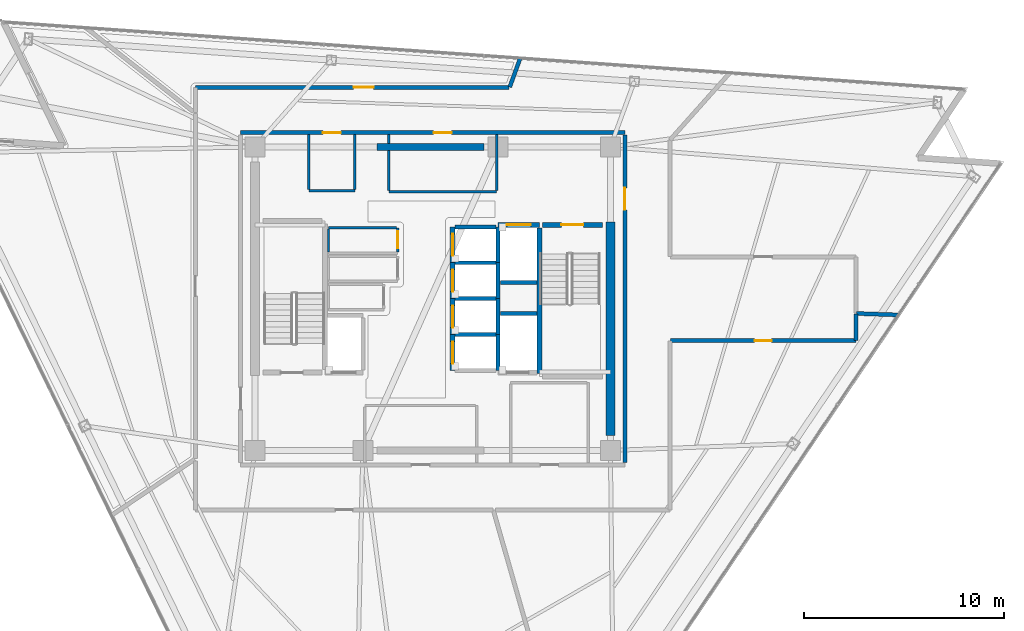
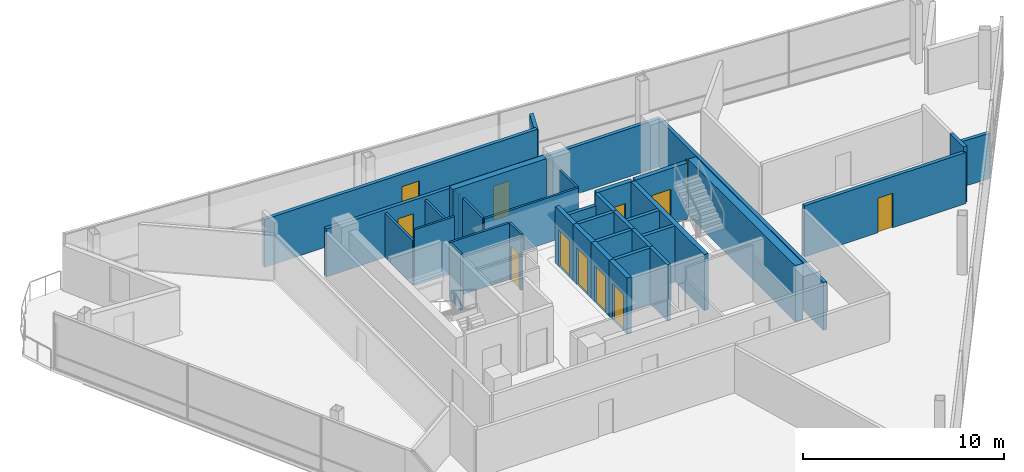
# One storey, part 10 of 14: 36 walls, 12 doors, 12 openings.
"""IFC4 building model written with IfcOpenShell, lengths in metres."""

import ifcopenshell
import ifcopenshell.guid

model = None  # the IFC model being written
_history = None  # IfcOwnerHistory: only IFC2X3 demands one
_inside = {}  # id of a spatial element -> (the spatial element, [elements in it])
_under = {}  # id of a project, library or spatial element -> (it, [spatial elements below it])
_declared = {}  # id of a project -> (the project, [libraries it declares])
_typed = {}  # id of a type object -> (the type object, [elements of that type])
_made_of = {}  # id of a material, layer set ... -> (it, [elements and type objects made of it])


def new_model(schema):
    """Start an empty IFC model of exactly this schema.

    Asked for "IFC4X3", IfcOpenShell would pick the latest addendum, in which some entities
    have other attributes; the version numbers below select the first issue.
    IFC2X3 requires an IfcOwnerHistory on every rooted entity: one is made here for all.
    """
    global model, _history
    if schema == "IFC4X3":
        model = ifcopenshell.file(schema_version=(4, 3, 0, 0))
    else:
        model = ifcopenshell.file(schema=schema)
    _inside.clear()
    _under.clear()
    _declared.clear()
    _typed.clear()
    _made_of.clear()
    _history = None
    if model.schema == "IFC2X3":
        org = make("IfcOrganization", Name="unknown")
        user = make(
            "IfcPersonAndOrganization",
            ThePerson=make("IfcPerson", FamilyName="unknown"),
            TheOrganization=org,
        )
        app = make(
            "IfcApplication",
            ApplicationDeveloper=org,
            Version="unknown",
            ApplicationFullName="unknown",
            ApplicationIdentifier="unknown",
        )
        _history = make(
            "IfcOwnerHistory",
            OwningUser=user,
            OwningApplication=app,
            ChangeAction="ADDED",
            CreationDate=0,
        )
    return model


def make(cls, **values):
    """One entity of the class cls with the attributes given. An attribute that is None is left unset."""
    return model.create_entity(
        cls, **{name: value for name, value in values.items() if value is not None}
    )


def rooted(cls, **values):
    """An entity with a GlobalId (a new one), such as an element, a storey or a relation."""
    return make(cls, GlobalId=ifcopenshell.guid.new(), OwnerHistory=_history, **values)


def si_unit(unit_type, name, prefix=None):
    """IfcSIUnit, for example si_unit("LENGTHUNIT", "METRE", prefix="MILLI")."""
    return make("IfcSIUnit", UnitType=unit_type, Prefix=prefix, Name=name)


def assignment(units):
    """IfcUnitAssignment: the units of a project."""
    return None if units is None else make("IfcUnitAssignment", Units=units)


def point(xyz):
    """IfcCartesianPoint."""
    return None if xyz is None else make("IfcCartesianPoint", Coordinates=xyz)


def direction(xyz):
    """IfcDirection."""
    return None if xyz is None else make("IfcDirection", DirectionRatios=xyz)


def frame(location, z_axis=None, x_axis=None):
    """IfcAxis2Placement3D, a coordinate frame: its origin and axes. An axis left out is left unset."""
    return make(
        "IfcAxis2Placement3D",
        Location=point(location),
        Axis=direction(z_axis),
        RefDirection=direction(x_axis),
    )


def frame_2d(location, x_axis=None):
    """IfcAxis2Placement2D, a coordinate frame in the plane: its origin and x axis."""
    return make(
        "IfcAxis2Placement2D", Location=point(location), RefDirection=direction(x_axis)
    )


def origin():
    """The frame at (0, 0, 0) with its axes left unset."""
    return frame((0.0, 0.0, 0.0))


def place(relative_to, where):
    """IfcLocalPlacement: puts the frame where relative to a parent placement (None: the world)."""
    return make(
        "IfcLocalPlacement", PlacementRelTo=relative_to, RelativePlacement=where
    )


def context(
    kind, dimensions, precision=None, world=None, true_north=None, identifier=None
):
    """IfcGeometricRepresentationContext, for example the 3D "Model" context."""
    return make(
        "IfcGeometricRepresentationContext",
        ContextIdentifier=identifier,
        ContextType=kind,
        CoordinateSpaceDimension=dimensions,
        Precision=precision,
        WorldCoordinateSystem=world,
        TrueNorth=true_north,
    )


def subcontext(parent, identifier, kind, view, scale=None):
    """IfcGeometricRepresentationSubContext, for example "Body" below "Model"."""
    return make(
        "IfcGeometricRepresentationSubContext",
        ContextIdentifier=identifier,
        ContextType=kind,
        ParentContext=parent,
        TargetScale=scale,
        TargetView=view,
    )


def project(units=None, contexts=None):
    """IfcProject with its units and contexts."""
    return rooted(
        "IfcProject",
        Name="project",
        RepresentationContexts=contexts,
        UnitsInContext=assignment(units),
    )


def spatial(cls, under=None, at=None, **own):
    """A site, building, storey or space (cls), placed at a placement, below another one or the project."""
    s = rooted(cls, ObjectPlacement=at, **own)
    if under is not None:
        _under.setdefault(under.id(), (under, []))[1].append(s)
    return s


def profile(cls, at=None, kind="AREA", **sizes):
    """A parametric profile (cls). Its sizes go by their IFC names, for example OverallWidth=200.0."""
    return make(cls, ProfileType=kind, Position=at, **sizes)


def rectangle(**sizes):
    """IfcRectangleProfileDef."""
    return profile("IfcRectangleProfileDef", **sizes)


def extrude(swept, where, along, depth):
    """IfcExtrudedAreaSolid: the profile swept, set in the frame where, extruded along a direction by depth."""
    return make(
        "IfcExtrudedAreaSolid",
        SweptArea=swept,
        Position=where,
        ExtrudedDirection=direction(along),
        Depth=depth,
    )


def shape(context_of_items, identifier, shape_type, items):
    """IfcShapeRepresentation: the items that make up one representation, for example the "Body"."""
    return make(
        "IfcShapeRepresentation",
        ContextOfItems=context_of_items,
        RepresentationIdentifier=identifier,
        RepresentationType=shape_type,
        Items=items,
    )


def material(Name=None, Category=None):
    """IfcMaterial."""
    return make("IfcMaterial", Name=Name, Category=Category)


def layer(
    of_material, thickness, ventilated=None, Name=None, Category=None, Priority=None
):
    """IfcMaterialLayer: one layer of a wall or slab, of a material (None: an air gap)."""
    return make(
        "IfcMaterialLayer",
        Material=of_material,
        LayerThickness=thickness,
        IsVentilated=ventilated,
        Name=Name,
        Category=Category,
        Priority=Priority,
    )


def layer_set(layers, Name=None):
    """IfcMaterialLayerSet."""
    return make("IfcMaterialLayerSet", MaterialLayers=layers, LayerSetName=Name)


def made_of(thing, what):
    """Note that an element or type object is made of a material, layer set ...; save() writes the relation."""
    if what is not None:
        _made_of.setdefault(what.id(), (what, []))[1].append(thing)
    return thing


def type_object(cls, material=None, **own):
    """A type object (cls), such as IfcWallType, which elements share."""
    return made_of(rooted(cls, **own), material)


def element(
    cls,
    number,
    at=None,
    inside=None,
    cuts=None,
    type_object=None,
    material=None,
    context=None,
    identifier="Body",
    shape_type=None,
    held_by="IfcProductDefinitionShape",
    body=None,
    shapes=None,
    **own,
):
    """One element of the class cls, such as IfcWall. Its Tag is "e" and its number.

    at: its placement. inside: the storey or other place that contains it. cuts: it is an
    opening in that element (IfcRelVoidsElement). A single representation is given by context,
    identifier, shape_type and body (its items); several are given by shapes. held_by: the class
    of the entity that holds the representations. save() writes the other relations.
    """
    e = rooted(cls, Tag="e%d" % number, ObjectPlacement=at, **own)
    if body is not None:
        shapes = [shape(context, identifier, shape_type, body)]
    if shapes is not None:
        e.Representation = make(held_by, Representations=shapes)
    if inside is not None:
        _inside.setdefault(inside.id(), (inside, []))[1].append(e)
    if cuts is not None:
        rooted(
            "IfcRelVoidsElement", RelatingBuildingElement=cuts, RelatedOpeningElement=e
        )
    if type_object is not None:
        _typed.setdefault(type_object.id(), (type_object, []))[1].append(e)
    return made_of(e, material)


def fill(opening, filler):
    """IfcRelFillsElement: the door or window that sits in an opening."""
    return rooted(
        "IfcRelFillsElement",
        RelatingOpeningElement=opening,
        RelatedBuildingElement=filler,
    )


def aggregate(whole, parts):
    """IfcRelAggregates: a whole, such as a stair, and the parts it consists of."""
    return rooted("IfcRelAggregates", RelatingObject=whole, RelatedObjects=parts)


def save(model, path):
    """Write the relations noted so far, then the file.

    IfcRelAggregates (storeys below a building ...), IfcRelContainedInSpatialStructure (elements
    in a storey), IfcRelDefinesByType, IfcRelAssociatesMaterial and IfcRelDeclares: one each for
    every whole, place, type object, material and project.
    """
    for whole, parts in _under.values():
        aggregate(whole, parts)
    for where, things in _inside.values():
        rooted(
            "IfcRelContainedInSpatialStructure",
            RelatedElements=things,
            RelatingStructure=where,
        )
    for kind, things in _typed.values():
        rooted("IfcRelDefinesByType", RelatedObjects=things, RelatingType=kind)
    for what, things in _made_of.values():
        rooted("IfcRelAssociatesMaterial", RelatedObjects=things, RelatingMaterial=what)
    for by, libraries in _declared.values():
        rooted("IfcRelDeclares", RelatingContext=by, RelatedDefinitions=libraries)
    model.write(path)


model = new_model("IFC4")

# Units and contexts
model_context = context("Model", 3, precision=1e-05, world=origin(), true_north=direction((0.0, 1.0)))
body_context = subcontext(model_context, "Body", "Model", "MODEL_VIEW")
ifc_project = project(units=[si_unit("LENGTHUNIT", "METRE"), si_unit("AREAUNIT", "SQUARE_METRE"), si_unit("VOLUMEUNIT", "CUBIC_METRE"), si_unit("PLANEANGLEUNIT", "RADIAN"), si_unit("MASSUNIT", "GRAM", prefix="KILO")], contexts=[model_context])

# Site, building, storey
site_placement = place(None, origin())
site = spatial("IfcSite", under=ifc_project, at=site_placement, CompositionType="ELEMENT")
building_placement = place(site_placement, origin())
building = spatial("IfcBuilding", under=site, at=building_placement, Name="Tharavind Bronze Gate", CompositionType="ELEMENT")
storey_placement = place(building_placement, frame((0.0, 0.0, 230.64990234375)))
storey = spatial("IfcBuildingStorey", under=building, at=storey_placement, Name="L59", CompositionType="ELEMENT", Elevation=230.64990234375)

# Wall, openings, doors
ifc_material_1 = material(Name="Aerated Concrete Block", Category="concrete")
ifc_layer_1 = layer(ifc_material_1, 0.199951171875)
ifc_layer_set_1 = layer_set([ifc_layer_1], Name="Aerated Concrete Block")
wall_type_1 = type_object("IfcWallType", Name="FIRE RATED PARTITION 200", PredefinedType="PARTITIONING", material=ifc_layer_set_1)
wall_1_placement = place(storey_placement, frame((9.6201171875, 8.320068359375, 0.0), z_axis=(0.0, 0.0, 1.0), x_axis=(-1.0, 0.0, 0.0)))
wall_1 = element("IfcWall", 1, at=wall_1_placement, inside=storey, type_object=wall_type_1, Name="L59 north core corridor wall", PredefinedType="PARTITIONING", context=body_context, shape_type="SweptSolid", body=[
    extrude(rectangle(XDim=19.240234375, YDim=0.199951171875, at=frame_2d((9.6201171875, 0.0))), origin(), (0.0, 0.0, 1.0), 2.9150390625),
])
opening_1_placement = place(wall_1_placement, frame((8.669921875, 0.0, 0.0)))
opening_1 = element("IfcOpeningElement", 2, at=opening_1_placement, cuts=wall_1, Name="Opening ID07", PredefinedType="OPENING", context=body_context, shape_type="SweptSolid", body=[
    extrude(rectangle(XDim=0.89990234375, YDim=2.10009765625, at=frame_2d((0.449951171875, 1.050048828125))), frame((0.0, 0.11009765625, 0.0), z_axis=(0.0, -1.0, 0.0), x_axis=(1.0, 0.0, 0.0)), (0.0, 0.0, 1.0), 0.219951171875),
])
opening_2_placement = place(wall_1_placement, frame((14.219970703125, 0.0, 0.0)))
opening_2 = element("IfcOpeningElement", 3, at=opening_2_placement, cuts=wall_1, Name="Opening ID07", PredefinedType="OPENING", context=body_context, shape_type="SweptSolid", body=[
    extrude(rectangle(XDim=0.89990234375, YDim=2.10009765625, at=frame_2d((0.449951171875, 1.050048828125))), frame((0.0, 0.11009765625, 0.0), z_axis=(0.0, -1.0, 0.0), x_axis=(1.0, 0.0, 0.0)), (0.0, 0.0, 1.0), 0.219951171875),
])
ifc_material_2 = material(Name="Galvanised Fire Steel", Category="steel")
door_type_1 = type_object("IfcDoorType", Name="PLANT AND RISER FIRE DOOR 900X2100", OperationType="SINGLE_SWING_LEFT", PredefinedType="DOOR", material=ifc_material_2)
door_1_placement = place(opening_1_placement, origin())
door_1 = element("IfcDoor", 4, at=door_1_placement, inside=storey, type_object=door_type_1, Name="L59 Core Avionics Room fire door", OperationType="SINGLE_SWING_LEFT", OverallHeight=2.10009765625, OverallWidth=0.89990234375, PredefinedType="DOOR", context=body_context, shape_type="SweptSolid", body=[
    extrude(rectangle(XDim=0.89990234375, YDim=2.10009765625, at=frame_2d((0.449951171875, 1.050048828125))), frame((0.0, 0.02490234375, 0.0), z_axis=(0.0, -1.0, 0.0), x_axis=(1.0, 0.0, 0.0)), (0.0, 0.0, 1.0), 0.050048828125),
])
fill(opening_1, door_1)
door_2_placement = place(opening_2_placement, origin())
door_2 = element("IfcDoor", 5, at=door_2_placement, inside=storey, type_object=door_type_1, Name="L59 Electrical Switch Cupboard fire door", OperationType="SINGLE_SWING_LEFT", OverallHeight=2.10009765625, OverallWidth=0.89990234375, PredefinedType="DOOR", context=body_context, shape_type="SweptSolid", body=[
    extrude(rectangle(XDim=0.89990234375, YDim=2.10009765625, at=frame_2d((0.449951171875, 1.050048828125))), frame((0.0, 0.02490234375, 0.0), z_axis=(0.0, -1.0, 0.0), x_axis=(1.0, 0.0, 0.0)), (0.0, 0.0, 1.0), 0.050048828125),
])
fill(opening_2, door_2)

# Wall, opening, door
wall_2_placement = place(storey_placement, frame((9.6201171875, -8.199951171875, 0.0), z_axis=(0.0, 0.0, 1.0), x_axis=(0.0, 1.0, 0.0)))
wall_2 = element("IfcWall", 6, at=wall_2_placement, inside=storey, type_object=wall_type_1, Name="L59 east core corridor wall", PredefinedType="PARTITIONING", context=body_context, shape_type="SweptSolid", body=[
    extrude(rectangle(XDim=16.39990234375, YDim=0.199951171875, at=frame_2d((8.199951171875, 0.0))), origin(), (0.0, 0.0, 1.0), 2.9150390625),
])
opening_3_placement = place(wall_2_placement, frame((12.64990234375, 0.0, 0.0)))
opening_3 = element("IfcOpeningElement", 7, at=opening_3_placement, cuts=wall_2, Name="Opening ID01", PredefinedType="OPENING", context=body_context, shape_type="SweptSolid", body=[
    extrude(rectangle(XDim=1.10009765625, YDim=2.14990234375, at=frame_2d((0.550048828125, 1.074951171875))), frame((0.0, 0.11009765625, 0.0), z_axis=(0.0, -1.0, 0.0), x_axis=(1.0, 0.0, 0.0)), (0.0, 0.0, 1.0), 0.219951171875),
])
ifc_material_3 = material(Name="Fire-Rated Steel", Category="steel")
door_type_2 = type_object("IfcDoorType", Name="STAIR CORE FIRE DOOR 1100X2150", OperationType="SINGLE_SWING_LEFT", PredefinedType="DOOR", material=ifc_material_3)
door_3_placement = place(opening_3_placement, frame((1.10009765625, 0.0, 0.0), z_axis=(0.0, 0.0, 1.0), x_axis=(-1.0, 0.0, 0.0)))
door_3 = element("IfcDoor", 8, at=door_3_placement, inside=storey, type_object=door_type_2, Name="L59 north east stair lobby fire door", OperationType="SINGLE_SWING_LEFT", OverallHeight=2.14990234375, OverallWidth=1.10009765625, PredefinedType="DOOR", context=body_context, shape_type="SweptSolid", body=[
    extrude(rectangle(XDim=1.10009765625, YDim=2.14990234375, at=frame_2d((0.550048828125, 1.074951171875))), frame((0.0, 0.02490234375, 0.0), z_axis=(0.0, -1.0, 0.0), x_axis=(1.0, 0.0, 0.0)), (0.0, 0.0, 1.0), 0.050048828125),
])
fill(opening_3, door_3)

wall_3_placement = place(storey_placement, frame((11.905029296875, -2.10009765625, 0.0), z_axis=(0.0, 0.0, 1.0), x_axis=(1.0, 0.0, 0.0)))
wall_3 = element("IfcWall", 9, at=wall_3_placement, inside=storey, type_object=wall_type_1, Name="L59 Public Restrooms Block partition", PredefinedType="PARTITIONING", context=body_context, shape_type="SweptSolid", body=[
    extrude(rectangle(XDim=9.29443359375, YDim=0.199951171875, at=frame_2d((4.647216796875, 0.0))), origin(), (0.0, 0.0, 1.0), 3.114990234375),
])
opening_4_placement = place(wall_3_placement, frame((4.221923828125, 0.0, 0.0)))
opening_4 = element("IfcOpeningElement", 10, at=opening_4_placement, cuts=wall_3, Name="Opening ID06", PredefinedType="OPENING", context=body_context, shape_type="SweptSolid", body=[
    extrude(rectangle(XDim=0.85009765625, YDim=2.10009765625, at=frame_2d((0.425048828125, 1.050048828125))), frame((0.0, 0.11009765625, 0.0), z_axis=(0.0, -1.0, 0.0), x_axis=(1.0, 0.0, 0.0)), (0.0, 0.0, 1.0), 0.219951171875),
])
ifc_material_4 = material(Name="Moisture-Resistant Timber", Category="wood")
door_type_3 = type_object("IfcDoorType", Name="BATHROOM PRIVACY DOOR 850X2100", OperationType="SINGLE_SWING_RIGHT", PredefinedType="DOOR", material=ifc_material_4)
door_4_placement = place(opening_4_placement, origin())
door_4 = element("IfcDoor", 11, at=door_4_placement, inside=storey, type_object=door_type_3, Name="L59 Public Restrooms Block door", OperationType="SINGLE_SWING_RIGHT", OverallHeight=2.10009765625, OverallWidth=0.85009765625, PredefinedType="DOOR", context=body_context, shape_type="SweptSolid", body=[
    extrude(rectangle(XDim=0.85009765625, YDim=2.10009765625, at=frame_2d((0.425048828125, 1.050048828125))), frame((0.0, 0.02490234375, 0.0), z_axis=(0.0, -1.0, 0.0), x_axis=(1.0, 0.0, 0.0)), (0.0, 0.0, 1.0), 0.050048828125),
])
fill(opening_4, door_4)

# Walls
wall_4_placement = place(storey_placement, frame((21.199951171875, -2.099365234375, 0.0), z_axis=(0.0, 0.0, 1.0), x_axis=(0.0, 1.0, 0.0)))
element("IfcWall", 12, at=wall_4_placement, inside=storey, type_object=wall_type_1, Name="L59 Public Restrooms Block partition", PredefinedType="PARTITIONING", context=body_context, shape_type="SweptSolid", body=[
    extrude(rectangle(XDim=1.333251953125, YDim=0.199951171875, at=frame_2d((0.66650390625, 0.0))), origin(), (0.0, 0.0, 1.0), 3.420166015625),
])
wall_5_placement = place(storey_placement, frame((21.225830078125, -0.7412109375, 0.0), z_axis=(0.0, 0.0, 1.0), x_axis=(0.999389938991, -0.034924917223, 0.0)))
element("IfcWall", 13, at=wall_5_placement, inside=storey, type_object=wall_type_1, Name="L59 Public Restrooms Block partition", PredefinedType="PARTITIONING", context=body_context, shape_type="SweptSolid", body=[
    extrude(rectangle(XDim=2.090087890625, YDim=0.199951171875, at=frame_2d((1.044921875, 0.0))), origin(), (0.0, 0.0, 1.0), 2.76513671875),
])
wall_6_placement = place(storey_placement, frame((4.380615234375, 12.035400390625, 0.0), z_axis=(0.0, 0.0, 1.0), x_axis=(-0.342127052105, -0.939653702285, 0.0)))
element("IfcWall", 14, at=wall_6_placement, inside=storey, type_object=wall_type_1, Name="L59 Aerospace Design Open Office partition", PredefinedType="PARTITIONING", context=body_context, shape_type="SweptSolid", body=[
    extrude(rectangle(XDim=1.531494140625, YDim=0.199951171875, at=frame_2d((0.765625, 0.0))), origin(), (0.0, 0.0, 1.0), 2.76513671875),
])

# Wall, opening, door
wall_7_placement = place(storey_placement, frame((3.833251953125, 10.580078125, 0.0), z_axis=(0.0, 0.0, 1.0), x_axis=(-1.0, 0.0, 0.0)))
wall_7 = element("IfcWall", 15, at=wall_7_placement, inside=storey, type_object=wall_type_1, Name="L59 Aerospace Design Open Office partition", PredefinedType="PARTITIONING", context=body_context, shape_type="SweptSolid", body=[
    extrude(rectangle(XDim=15.712646484375, YDim=0.199951171875, at=frame_2d((7.8564453125, 0.0))), origin(), (0.0, 0.0, 1.0), 2.9150390625),
])
opening_5_placement = place(wall_7_placement, frame((6.7958984375, 0.0, 0.0)))
opening_5 = element("IfcOpeningElement", 16, at=opening_5_placement, cuts=wall_7, Name="Opening ID04", PredefinedType="OPENING", context=body_context, shape_type="SweptSolid", body=[
    extrude(rectangle(XDim=1.0, YDim=2.14990234375, at=frame_2d((0.5, 1.074951171875))), frame((0.0, 0.11009765625, 0.0), z_axis=(0.0, -1.0, 0.0), x_axis=(1.0, 0.0, 0.0)), (0.0, 0.0, 1.0), 0.219951171875),
])
ifc_material_5 = material(Name="Bronze Framed Acoustic Timber", Category="wood")
door_type_4 = type_object("IfcDoorType", Name="OFFICE TENANCY DOOR 1000X2150", OperationType="SINGLE_SWING_RIGHT", PredefinedType="DOOR", material=ifc_material_5)
door_5_placement = place(opening_5_placement, origin())
door_5 = element("IfcDoor", 17, at=door_5_placement, inside=storey, type_object=door_type_4, Name="L59 Aerospace Design Open Office door", OperationType="SINGLE_SWING_RIGHT", OverallHeight=2.14990234375, OverallWidth=1.0, PredefinedType="DOOR", context=body_context, shape_type="SweptSolid", body=[
    extrude(rectangle(XDim=1.0, YDim=2.14990234375, at=frame_2d((0.5, 1.074951171875))), frame((0.0, 0.02490234375, 0.0), z_axis=(0.0, -1.0, 0.0), x_axis=(1.0, 0.0, 0.0)), (0.0, 0.0, 1.0), 0.050048828125),
])
fill(opening_5, door_5)

ifc_material_6 = material(Name="Metal Stud Gypsum Partition", Category="gypsum")
ifc_layer_2 = layer(ifc_material_6, 0.1201171875)
ifc_layer_set_2 = layer_set([ifc_layer_2], Name="Metal Stud Gypsum Partition")
wall_type_2 = type_object("IfcWallType", Name="INTERIOR PARTITION WALL 120", PredefinedType="PARTITIONING", material=ifc_layer_set_2)
wall_8_placement = place(storey_placement, frame((-1.75, 2.344970703125, 0.0), z_axis=(0.0, 0.0, 1.0), x_axis=(0.0, 1.0, 0.0)))
wall_8 = element("IfcWall", 18, at=wall_8_placement, inside=storey, type_object=wall_type_2, Name="L59 Housekeeping Linen Store partition 2", PredefinedType="PARTITIONING", context=body_context, shape_type="SweptSolid", body=[
    extrude(rectangle(XDim=1.205078125, YDim=0.1201171875, at=frame_2d((0.6025390625, 0.0))), origin(), (0.0, 0.0, 1.0), 3.420166015625),
])
opening_6_placement = place(wall_8_placement, frame((0.177001953125, 0.0, 0.0)))
opening_6 = element("IfcOpeningElement", 19, at=opening_6_placement, cuts=wall_8, Name="Opening ID06", PredefinedType="OPENING", context=body_context, shape_type="SweptSolid", body=[
    extrude(rectangle(XDim=0.85009765625, YDim=2.10009765625, at=frame_2d((0.425048828125, 1.050048828125))), frame((0.0, 0.07005859375, 0.0), z_axis=(0.0, -1.0, 0.0), x_axis=(1.0, 0.0, 0.0)), (0.0, 0.0, 1.0), 0.1401171875),
])
door_6_placement = place(opening_6_placement, frame((0.85009765625, 0.0, 0.0), z_axis=(0.0, 0.0, 1.0), x_axis=(-1.0, 0.0, 0.0)))
door_6 = element("IfcDoor", 20, at=door_6_placement, inside=storey, type_object=door_type_3, Name="L59 Housekeeping Linen Store door", OperationType="SINGLE_SWING_RIGHT", OverallHeight=2.10009765625, OverallWidth=0.85009765625, PredefinedType="DOOR", context=body_context, shape_type="SweptSolid", body=[
    extrude(rectangle(XDim=0.85009765625, YDim=2.10009765625, at=frame_2d((0.425048828125, 1.050048828125))), frame((0.0, 0.02490234375, 0.0), z_axis=(0.0, -1.0, 0.0), x_axis=(1.0, 0.0, 0.0)), (0.0, 0.0, 1.0), 0.050048828125),
])
fill(opening_6, door_6)

# Walls
wall_9_placement = place(storey_placement, frame((-1.81494140625, 3.550048828125, 0.0), z_axis=(0.0, 0.0, 1.0), x_axis=(-1.0, 0.0, 0.0)))
element("IfcWall", 21, at=wall_9_placement, inside=storey, type_object=wall_type_2, Name="L59 Housekeeping Linen Store partition 3", PredefinedType="PARTITIONING", context=body_context, shape_type="SweptSolid", body=[
    extrude(rectangle(XDim=3.405029296875, YDim=0.1201171875, at=frame_2d((1.70263671875, 0.0))), origin(), (0.0, 0.0, 1.0), 3.420166015625),
])
wall_10_placement = place(storey_placement, frame((-5.219970703125, 3.485107421875, 0.0), z_axis=(0.0, 0.0, 1.0), x_axis=(0.0, -1.0, 0.0)))
element("IfcWall", 22, at=wall_10_placement, inside=storey, type_object=wall_type_2, Name="L59 Housekeeping Linen Store partition 4", PredefinedType="PARTITIONING", context=body_context, shape_type="SweptSolid", body=[
    extrude(rectangle(XDim=1.14013671875, YDim=0.1201171875, at=frame_2d((0.570068359375, 0.0))), origin(), (0.0, 0.0, 1.0), 3.420166015625),
])
wall_11_placement = place(storey_placement, frame((-2.199951171875, 5.35009765625, 0.0), z_axis=(0.0, 0.0, 1.0), x_axis=(1.0, 0.0, 0.0)))
element("IfcWall", 23, at=wall_11_placement, inside=storey, type_object=wall_type_2, Name="L59 Core Avionics Room partition 1", PredefinedType="PARTITIONING", context=body_context, shape_type="SweptSolid", body=[
    extrude(rectangle(XDim=5.39990234375, YDim=0.1201171875, at=frame_2d((2.699951171875, 0.0))), origin(), (0.0, 0.0, 1.0), 2.715087890625),
])
wall_12_placement = place(storey_placement, frame((3.199951171875, 5.4150390625, 0.0), z_axis=(0.0, 0.0, 1.0), x_axis=(0.0, 1.0, 0.0)))
element("IfcWall", 24, at=wall_12_placement, inside=storey, type_object=wall_type_2, Name="L59 Core Avionics Room partition 2", PredefinedType="PARTITIONING", context=body_context, shape_type="SweptSolid", body=[
    extrude(rectangle(XDim=2.800048828125, YDim=0.1201171875, at=frame_2d((1.39990234375, 0.0))), origin(), (0.0, 0.0, 1.0), 2.715087890625),
])
wall_13_placement = place(storey_placement, frame((-2.199951171875, 8.215087890625, 0.0), z_axis=(0.0, 0.0, 1.0), x_axis=(0.0, -1.0, 0.0)))
element("IfcWall", 25, at=wall_13_placement, inside=storey, type_object=wall_type_2, Name="L59 Core Avionics Room partition 4", PredefinedType="PARTITIONING", context=body_context, shape_type="SweptSolid", body=[
    extrude(rectangle(XDim=0.43505859375, YDim=0.1201171875, at=frame_2d((0.217529296875, 0.0))), origin(), (0.0, 0.0, 1.0), 2.715087890625),
])
wall_14_placement = place(storey_placement, frame((-2.199951171875, 7.419921875, 0.0), z_axis=(0.0, 0.0, 1.0), x_axis=(0.0, -1.0, 0.0)))
element("IfcWall", 26, at=wall_14_placement, inside=storey, type_object=wall_type_2, Name="L59 Core Avionics Room partition 4", PredefinedType="PARTITIONING", context=body_context, shape_type="SweptSolid", body=[
    extrude(rectangle(XDim=2.0048828125, YDim=0.1201171875, at=frame_2d((1.00244140625, 0.0))), origin(), (0.0, 0.0, 1.0), 2.715087890625),
])
wall_15_placement = place(storey_placement, frame((-6.199951171875, 5.39990234375, 0.0), z_axis=(0.0, 0.0, 1.0), x_axis=(1.0, 0.0, 0.0)))
element("IfcWall", 27, at=wall_15_placement, inside=storey, type_object=wall_type_2, Name="L59 Electrical Switch Cupboard partition 1", PredefinedType="PARTITIONING", context=body_context, shape_type="SweptSolid", body=[
    extrude(rectangle(XDim=2.300048828125, YDim=0.1201171875, at=frame_2d((1.14990234375, 0.0))), origin(), (0.0, 0.0, 1.0), 3.420166015625),
])
for number, where, z_axis, x_axis, name in (
    (28, (-3.89990234375, 5.465087890625, 0.0), (0.0, 0.0, 1.0), (0.0, 1.0, 0.0), "L59 Electrical Switch Cupboard partition 2"),
    (29, (-6.199951171875, 8.215087890625, 0.0), (0.0, 0.0, 1.0), (0.0, -1.0, 0.0), "L59 Electrical Switch Cupboard partition 4"),
):
    element("IfcWall", number, at=place(storey_placement, frame(where, z_axis=z_axis, x_axis=x_axis)), inside=storey, type_object=wall_type_2, Name=name, PredefinedType="PARTITIONING", context=body_context, shape_type="SweptSolid", body=[
        extrude(rectangle(XDim=2.75, YDim=0.1201171875, at=frame_2d((1.375, 0.0))), origin(), (0.0, 0.0, 1.0), 2.715087890625),
    ])
ifc_material_7 = material(Name="Concrete C50/60", Category="concrete")
ifc_layer_3 = layer(ifc_material_7, 0.25)
ifc_layer_set_3 = layer_set([ifc_layer_3], Name="Concrete C50/60")
wall_type_3 = type_object("IfcWallType", Name="RC CORE SHEAR WALL 250", PredefinedType="SHEAR", material=ifc_layer_set_3)
wall_16_placement = place(storey_placement, frame((5.35009765625, -3.75, 0.0), z_axis=(0.0, 0.0, 1.0), x_axis=(0.0, 1.0, 0.0)))
element("IfcWall", 30, at=wall_16_placement, inside=storey, type_object=wall_type_3, Name="L59 ST2 shaft west wall", PredefinedType="SHEAR", context=body_context, shape_type="SweptSolid", body=[
    extrude(rectangle(XDim=7.300048828125, YDim=0.25, at=frame_2d((3.64990234375, 0.0))), origin(), (0.0, 0.0, 1.0), 3.420166015625),
])

# Wall, opening, door
wall_17_placement = place(storey_placement, frame((5.5, 3.699951171875, 0.0), z_axis=(0.0, 0.0, 1.0), x_axis=(1.0, 0.0, 0.0)))
wall_17 = element("IfcWall", 31, at=wall_17_placement, inside=storey, type_object=wall_type_3, Name="L59 ST2 shaft north wall", PredefinedType="SHEAR", context=body_context, shape_type="SweptSolid", body=[
    extrude(rectangle(XDim=3.0, YDim=0.25, at=frame_2d((1.5, 0.0))), origin(), (0.0, 0.0, 1.0), 3.420166015625),
])
opening_7_placement = place(wall_17_placement, frame((0.949951171875, 0.0, 0.0)))
opening_7 = element("IfcOpeningElement", 32, at=opening_7_placement, cuts=wall_17, Name="Opening ID01", PredefinedType="OPENING", context=body_context, shape_type="SweptSolid", body=[
    extrude(rectangle(XDim=1.10009765625, YDim=2.14990234375, at=frame_2d((0.550048828125, 1.074951171875))), frame((0.0, 0.135, 0.0), z_axis=(0.0, -1.0, 0.0), x_axis=(1.0, 0.0, 0.0)), (0.0, 0.0, 1.0), 0.27),
])
door_7_placement = place(opening_7_placement, frame((1.10009765625, 0.0, 0.0), z_axis=(0.0, 0.0, 1.0), x_axis=(-1.0, 0.0, 0.0)))
door_7 = element("IfcDoor", 33, at=door_7_placement, inside=storey, type_object=door_type_2, Name="L59 exit stair ST2 fire door", OperationType="SINGLE_SWING_LEFT", OverallHeight=2.14990234375, OverallWidth=1.10009765625, PredefinedType="DOOR", context=body_context, shape_type="SweptSolid", body=[
    extrude(rectangle(XDim=1.10009765625, YDim=2.14990234375, at=frame_2d((0.550048828125, 1.074951171875))), frame((0.0, 0.02490234375, 0.0), z_axis=(0.0, -1.0, 0.0), x_axis=(1.0, 0.0, 0.0)), (0.0, 0.0, 1.0), 0.050048828125),
])
fill(opening_7, door_7)

wall_18_placement = place(storey_placement, frame((1.0, -3.60009765625, 0.0), z_axis=(0.0, 0.0, 1.0), x_axis=(0.0, 1.0, 0.0)))
wall_18 = element("IfcWall", 34, at=wall_18_placement, inside=storey, type_object=wall_type_3, Name="L59 lift PL9 shaft front wall", PredefinedType="SHEAR", context=body_context, shape_type="SweptSolid", body=[
    extrude(rectangle(XDim=1.800048828125, YDim=0.25, at=frame_2d((0.89990234375, 0.0))), origin(), (0.0, 0.0, 1.0), 3.420166015625),
])
opening_8_placement = place(wall_18_placement, frame((0.35009765625, 0.0, 0.0)))
opening_8 = element("IfcOpeningElement", 35, at=opening_8_placement, cuts=wall_18, Name="Opening LD01", PredefinedType="OPENING", context=body_context, shape_type="SweptSolid", body=[
    extrude(rectangle(XDim=1.10009765625, YDim=2.199951171875, at=frame_2d((0.550048828125, 1.10009765625))), frame((0.0, 0.135, 0.0), z_axis=(0.0, -1.0, 0.0), x_axis=(1.0, 0.0, 0.0)), (0.0, 0.0, 1.0), 0.27),
])
ifc_material_8 = material(Name="Brushed Bronze Stainless Steel", Category="steel")
door_type_5 = type_object("IfcDoorType", Name="LIFT LANDING SLIDING DOOR 1100X2200", OperationType="SLIDING_TO_LEFT", PredefinedType="DOOR", material=ifc_material_8)
door_8_placement = place(opening_8_placement, origin())
door_8 = element("IfcDoor", 36, at=door_8_placement, inside=storey, type_object=door_type_5, Name="L59 lift PL9 sliding landing door", OperationType="SLIDING_TO_LEFT", OverallHeight=2.199951171875, OverallWidth=1.10009765625, PredefinedType="DOOR", context=body_context, shape_type="SweptSolid", body=[
    extrude(rectangle(XDim=1.10009765625, YDim=2.199951171875, at=frame_2d((0.550048828125, 1.10009765625))), frame((0.0, 0.02490234375, 0.0), z_axis=(0.0, -1.0, 0.0), x_axis=(1.0, 0.0, 0.0)), (0.0, 0.0, 1.0), 0.050048828125),
])
fill(opening_8, door_8)

wall_19_placement = place(storey_placement, frame((1.0, -1.800048828125, 0.0), z_axis=(0.0, 0.0, 1.0), x_axis=(0.0, 1.0, 0.0)))
wall_19 = element("IfcWall", 37, at=wall_19_placement, inside=storey, type_object=wall_type_3, Name="L59 lift PL10 shaft front wall", PredefinedType="SHEAR", context=body_context, shape_type="SweptSolid", body=[
    extrude(rectangle(XDim=1.800048828125, YDim=0.25, at=frame_2d((0.89990234375, 0.0))), origin(), (0.0, 0.0, 1.0), 3.420166015625),
])
opening_9_placement = place(wall_19_placement, frame((0.35009765625, 0.0, 0.0)))
opening_9 = element("IfcOpeningElement", 38, at=opening_9_placement, cuts=wall_19, Name="Opening LD01", PredefinedType="OPENING", context=body_context, shape_type="SweptSolid", body=[
    extrude(rectangle(XDim=1.10009765625, YDim=2.199951171875, at=frame_2d((0.550048828125, 1.10009765625))), frame((0.0, 0.135, 0.0), z_axis=(0.0, -1.0, 0.0), x_axis=(1.0, 0.0, 0.0)), (0.0, 0.0, 1.0), 0.27),
])
door_9_placement = place(opening_9_placement, origin())
door_9 = element("IfcDoor", 39, at=door_9_placement, inside=storey, type_object=door_type_5, Name="L59 lift PL10 sliding landing door", OperationType="SLIDING_TO_LEFT", OverallHeight=2.199951171875, OverallWidth=1.10009765625, PredefinedType="DOOR", context=body_context, shape_type="SweptSolid", body=[
    extrude(rectangle(XDim=1.10009765625, YDim=2.199951171875, at=frame_2d((0.550048828125, 1.10009765625))), frame((0.0, 0.02490234375, 0.0), z_axis=(0.0, -1.0, 0.0), x_axis=(1.0, 0.0, 0.0)), (0.0, 0.0, 1.0), 0.050048828125),
])
fill(opening_9, door_9)

wall_20_placement = place(storey_placement, frame((1.0, 0.0, 0.0), z_axis=(0.0, 0.0, 1.0), x_axis=(0.0, 1.0, 0.0)))
wall_20 = element("IfcWall", 40, at=wall_20_placement, inside=storey, type_object=wall_type_3, Name="L59 lift PL11 shaft front wall", PredefinedType="SHEAR", context=body_context, shape_type="SweptSolid", body=[
    extrude(rectangle(XDim=1.800048828125, YDim=0.25, at=frame_2d((0.89990234375, 0.0))), origin(), (0.0, 0.0, 1.0), 3.420166015625),
])
opening_10_placement = place(wall_20_placement, frame((0.35009765625, 0.0, 0.0)))
opening_10 = element("IfcOpeningElement", 41, at=opening_10_placement, cuts=wall_20, Name="Opening LD01", PredefinedType="OPENING", context=body_context, shape_type="SweptSolid", body=[
    extrude(rectangle(XDim=1.10009765625, YDim=2.199951171875, at=frame_2d((0.550048828125, 1.10009765625))), frame((0.0, 0.135, 0.0), z_axis=(0.0, -1.0, 0.0), x_axis=(1.0, 0.0, 0.0)), (0.0, 0.0, 1.0), 0.27),
])
door_10_placement = place(opening_10_placement, origin())
door_10 = element("IfcDoor", 42, at=door_10_placement, inside=storey, type_object=door_type_5, Name="L59 lift PL11 sliding landing door", OperationType="SLIDING_TO_LEFT", OverallHeight=2.199951171875, OverallWidth=1.10009765625, PredefinedType="DOOR", context=body_context, shape_type="SweptSolid", body=[
    extrude(rectangle(XDim=1.10009765625, YDim=2.199951171875, at=frame_2d((0.550048828125, 1.10009765625))), frame((0.0, 0.02490234375, 0.0), z_axis=(0.0, -1.0, 0.0), x_axis=(1.0, 0.0, 0.0)), (0.0, 0.0, 1.0), 0.050048828125),
])
fill(opening_10, door_10)

wall_21_placement = place(storey_placement, frame((1.0, 1.800048828125, 0.0), z_axis=(0.0, 0.0, 1.0), x_axis=(0.0, 1.0, 0.0)))
wall_21 = element("IfcWall", 43, at=wall_21_placement, inside=storey, type_object=wall_type_3, Name="L59 lift PL12 shaft front wall", PredefinedType="SHEAR", context=body_context, shape_type="SweptSolid", body=[
    extrude(rectangle(XDim=1.800048828125, YDim=0.25, at=frame_2d((0.89990234375, 0.0))), origin(), (0.0, 0.0, 1.0), 3.420166015625),
])
opening_11_placement = place(wall_21_placement, frame((0.35009765625, 0.0, 0.0)))
opening_11 = element("IfcOpeningElement", 44, at=opening_11_placement, cuts=wall_21, Name="Opening LD01", PredefinedType="OPENING", context=body_context, shape_type="SweptSolid", body=[
    extrude(rectangle(XDim=1.10009765625, YDim=2.199951171875, at=frame_2d((0.550048828125, 1.10009765625))), frame((0.0, 0.135, 0.0), z_axis=(0.0, -1.0, 0.0), x_axis=(1.0, 0.0, 0.0)), (0.0, 0.0, 1.0), 0.27),
])
door_11_placement = place(opening_11_placement, origin())
door_11 = element("IfcDoor", 45, at=door_11_placement, inside=storey, type_object=door_type_5, Name="L59 lift PL12 sliding landing door", OperationType="SLIDING_TO_LEFT", OverallHeight=2.199951171875, OverallWidth=1.10009765625, PredefinedType="DOOR", context=body_context, shape_type="SweptSolid", body=[
    extrude(rectangle(XDim=1.10009765625, YDim=2.199951171875, at=frame_2d((0.550048828125, 1.10009765625))), frame((0.0, 0.02490234375, 0.0), z_axis=(0.0, -1.0, 0.0), x_axis=(1.0, 0.0, 0.0)), (0.0, 0.0, 1.0), 0.050048828125),
])
fill(opening_11, door_11)

wall_22_placement = place(storey_placement, frame((3.280029296875, 3.699951171875, 0.0), z_axis=(0.0, 0.0, 1.0), x_axis=(1.0, 0.0, 0.0)))
wall_22 = element("IfcWall", 46, at=wall_22_placement, inside=storey, type_object=wall_type_3, Name="L59 lift FFL2 shaft front wall", PredefinedType="SHEAR", context=body_context, shape_type="SweptSolid", body=[
    extrude(rectangle(XDim=2.070068359375, YDim=0.25, at=frame_2d((1.03515625, 0.0))), origin(), (0.0, 0.0, 1.0), 3.420166015625),
])
opening_12_placement = place(wall_22_placement, frame((0.43505859375, 0.0, 0.0)))
opening_12 = element("IfcOpeningElement", 47, at=opening_12_placement, cuts=wall_22, Name="Opening LD02", PredefinedType="OPENING", context=body_context, shape_type="SweptSolid", body=[
    extrude(rectangle(XDim=1.199951171875, YDim=2.199951171875, at=frame_2d((0.60009765625, 1.10009765625))), frame((0.0, 0.135, 0.0), z_axis=(0.0, -1.0, 0.0), x_axis=(1.0, 0.0, 0.0)), (0.0, 0.0, 1.0), 0.27),
])
ifc_material_9 = material(Name="Brushed Stainless Steel", Category="steel")
door_type_6 = type_object("IfcDoorType", Name="FIREFIGHTING LIFT LANDING DOOR 1200X2200", OperationType="SLIDING_TO_RIGHT", PredefinedType="DOOR", material=ifc_material_9)
door_12_placement = place(opening_12_placement, origin())
door_12 = element("IfcDoor", 48, at=door_12_placement, inside=storey, type_object=door_type_6, Name="L59 lift FFL2 sliding landing door", OperationType="SLIDING_TO_RIGHT", OverallHeight=2.199951171875, OverallWidth=1.199951171875, PredefinedType="DOOR", context=body_context, shape_type="SweptSolid", body=[
    extrude(rectangle(XDim=1.199951171875, YDim=2.199951171875, at=frame_2d((0.60009765625, 1.10009765625))), frame((0.0, 0.02490234375, 0.0), z_axis=(0.0, -1.0, 0.0), x_axis=(1.0, 0.0, 0.0)), (0.0, 0.0, 1.0), 0.050048828125),
])
fill(opening_12, door_12)

# Walls
ifc_layer_4 = layer(ifc_material_7, 0.35009765625)
ifc_layer_set_4 = layer_set([ifc_layer_4], Name="Concrete C50/60")
wall_type_4 = type_object("IfcWallType", Name="RC CORE SHEAR WALL 350", PredefinedType="SHEAR", material=ifc_layer_set_4)
wall_23_placement = place(storey_placement, frame((-2.800048828125, 7.60009765625, 0.0), z_axis=(0.0, 0.0, 1.0), x_axis=(1.0, 0.0, 0.0)))
element("IfcWall", 49, at=wall_23_placement, inside=storey, type_object=wall_type_4, Name="L59 north core shear wall", PredefinedType="SHEAR", context=body_context, shape_type="SweptSolid", body=[
    extrude(rectangle(XDim=5.380126953125, YDim=0.35009765625, at=frame_2d((2.68994140625, 0.0))), origin(), (0.0, 0.0, 1.0), 3.420166015625),
])
ifc_material_10 = material(Name="Concrete C60/75", Category="concrete")
ifc_layer_5 = layer(ifc_material_10, 0.449951171875)
ifc_layer_set_5 = layer_set([ifc_layer_5], Name="Concrete C60/75")
wall_type_5 = type_object("IfcWallType", Name="RC CORE SHEAR WALL 450", PredefinedType="SHEAR", material=ifc_layer_set_5)
wall_24_placement = place(storey_placement, frame((8.89990234375, -6.85009765625, 0.0), z_axis=(0.0, 0.0, 1.0), x_axis=(0.0, 1.0, 0.0)))
element("IfcWall", 50, at=wall_24_placement, inside=storey, type_object=wall_type_5, Name="L59 east core shear wall", PredefinedType="SHEAR", context=body_context, shape_type="SweptSolid", body=[
    extrude(rectangle(XDim=10.7001953125, YDim=0.449951171875, at=frame_2d((5.35009765625, 0.0))), origin(), (0.0, 0.0, 1.0), 3.420166015625),
])
ifc_material_11 = material(Name="Concrete C40/50", Category="concrete")
ifc_layer_6 = layer(ifc_material_11, 0.199951171875)
ifc_layer_set_6 = layer_set([ifc_layer_6], Name="Concrete C40/50")
wall_type_6 = type_object("IfcWallType", Name="SHAFT ENCLOSURE WALL 200", PredefinedType="PARTITIONING", material=ifc_layer_set_6)
wall_25_placement = place(storey_placement, frame((3.280029296875, -3.60009765625, 0.0), z_axis=(0.0, 0.0, 1.0), x_axis=(0.0, 1.0, 0.0)))
element("IfcWall", 51, at=wall_25_placement, inside=storey, type_object=wall_type_6, Name="L59 lift PL9 shaft E enclosure wall", PredefinedType="PARTITIONING", context=body_context, shape_type="SweptSolid", body=[
    extrude(rectangle(XDim=1.800048828125, YDim=0.199951171875, at=frame_2d((0.89990234375, 0.0))), origin(), (0.0, 0.0, 1.0), 3.420166015625),
])
wall_26_placement = place(storey_placement, frame((1.1298828125, -1.800048828125, 0.0), z_axis=(0.0, 0.0, 1.0), x_axis=(1.0, 0.0, 0.0)))
element("IfcWall", 52, at=wall_26_placement, inside=storey, type_object=wall_type_6, Name="L59 lift PL9 shaft N enclosure wall", PredefinedType="PARTITIONING", context=body_context, shape_type="SweptSolid", body=[
    extrude(rectangle(XDim=2.045166015625, YDim=0.199951171875, at=frame_2d((1.0224609375, 0.0))), origin(), (0.0, 0.0, 1.0), 3.420166015625),
])
wall_27_placement = place(storey_placement, frame((3.280029296875, -1.800048828125, 0.0), z_axis=(0.0, 0.0, 1.0), x_axis=(0.0, 1.0, 0.0)))
element("IfcWall", 53, at=wall_27_placement, inside=storey, type_object=wall_type_6, Name="L59 lift PL10 shaft E enclosure wall", PredefinedType="PARTITIONING", context=body_context, shape_type="SweptSolid", body=[
    extrude(rectangle(XDim=1.800048828125, YDim=0.199951171875, at=frame_2d((0.89990234375, 0.0))), origin(), (0.0, 0.0, 1.0), 3.420166015625),
])
wall_28_placement = place(storey_placement, frame((1.1298828125, 0.0, 0.0), z_axis=(0.0, 0.0, 1.0), x_axis=(1.0, 0.0, 0.0)))
element("IfcWall", 54, at=wall_28_placement, inside=storey, type_object=wall_type_6, Name="L59 lift PL10 shaft N enclosure wall", PredefinedType="PARTITIONING", context=body_context, shape_type="SweptSolid", body=[
    extrude(rectangle(XDim=2.045166015625, YDim=0.199951171875, at=frame_2d((1.0224609375, 0.0))), origin(), (0.0, 0.0, 1.0), 3.420166015625),
])
wall_29_placement = place(storey_placement, frame((3.280029296875, 0.0, 0.0), z_axis=(0.0, 0.0, 1.0), x_axis=(0.0, 1.0, 0.0)))
element("IfcWall", 55, at=wall_29_placement, inside=storey, type_object=wall_type_6, Name="L59 lift PL11 shaft E enclosure wall", PredefinedType="PARTITIONING", context=body_context, shape_type="SweptSolid", body=[
    extrude(rectangle(XDim=1.800048828125, YDim=0.199951171875, at=frame_2d((0.89990234375, 0.0))), origin(), (0.0, 0.0, 1.0), 3.420166015625),
])
wall_30_placement = place(storey_placement, frame((1.1298828125, 1.800048828125, 0.0), z_axis=(0.0, 0.0, 1.0), x_axis=(1.0, 0.0, 0.0)))
element("IfcWall", 56, at=wall_30_placement, inside=storey, type_object=wall_type_6, Name="L59 lift PL11 shaft N enclosure wall", PredefinedType="PARTITIONING", context=body_context, shape_type="SweptSolid", body=[
    extrude(rectangle(XDim=2.045166015625, YDim=0.199951171875, at=frame_2d((1.0224609375, 0.0))), origin(), (0.0, 0.0, 1.0), 3.420166015625),
])
wall_31_placement = place(storey_placement, frame((3.280029296875, 1.800048828125, 0.0), z_axis=(0.0, 0.0, 1.0), x_axis=(0.0, 1.0, 0.0)))
element("IfcWall", 57, at=wall_31_placement, inside=storey, type_object=wall_type_6, Name="L59 lift PL12 shaft E enclosure wall", PredefinedType="PARTITIONING", context=body_context, shape_type="SweptSolid", body=[
    extrude(rectangle(XDim=1.800048828125, YDim=0.199951171875, at=frame_2d((0.89990234375, 0.0))), origin(), (0.0, 0.0, 1.0), 3.420166015625),
])
wall_32_placement = place(storey_placement, frame((1.1298828125, 3.60009765625, 0.0), z_axis=(0.0, 0.0, 1.0), x_axis=(1.0, 0.0, 0.0)))
element("IfcWall", 58, at=wall_32_placement, inside=storey, type_object=wall_type_6, Name="L59 lift PL12 shaft N enclosure wall", PredefinedType="PARTITIONING", context=body_context, shape_type="SweptSolid", body=[
    extrude(rectangle(XDim=2.045166015625, YDim=0.199951171875, at=frame_2d((1.0224609375, 0.0))), origin(), (0.0, 0.0, 1.0), 2.715087890625),
])
for number, where, z_axis, x_axis, name in (
    (59, (3.385009765625, 0.800048828125, 0.0), (0.0, 0.0, 1.0), (1.0, 0.0, 0.0), "L59 lift FFL2 shaft S enclosure wall"),
    (60, (3.385009765625, -0.75, 0.0), (0.0, 0.0, 1.0), (1.0, 0.0, 0.0), "L59 lift SVL1 shaft N enclosure wall"),
):
    element("IfcWall", number, at=place(storey_placement, frame(where, z_axis=z_axis, x_axis=x_axis)), inside=storey, type_object=wall_type_6, Name=name, PredefinedType="PARTITIONING", context=body_context, shape_type="SweptSolid", body=[
        extrude(rectangle(XDim=1.8349609375, YDim=0.199951171875, at=frame_2d((0.91748046875, 0.0))), origin(), (0.0, 0.0, 1.0), 3.420166015625),
    ])

save(model, "model.ifc")
